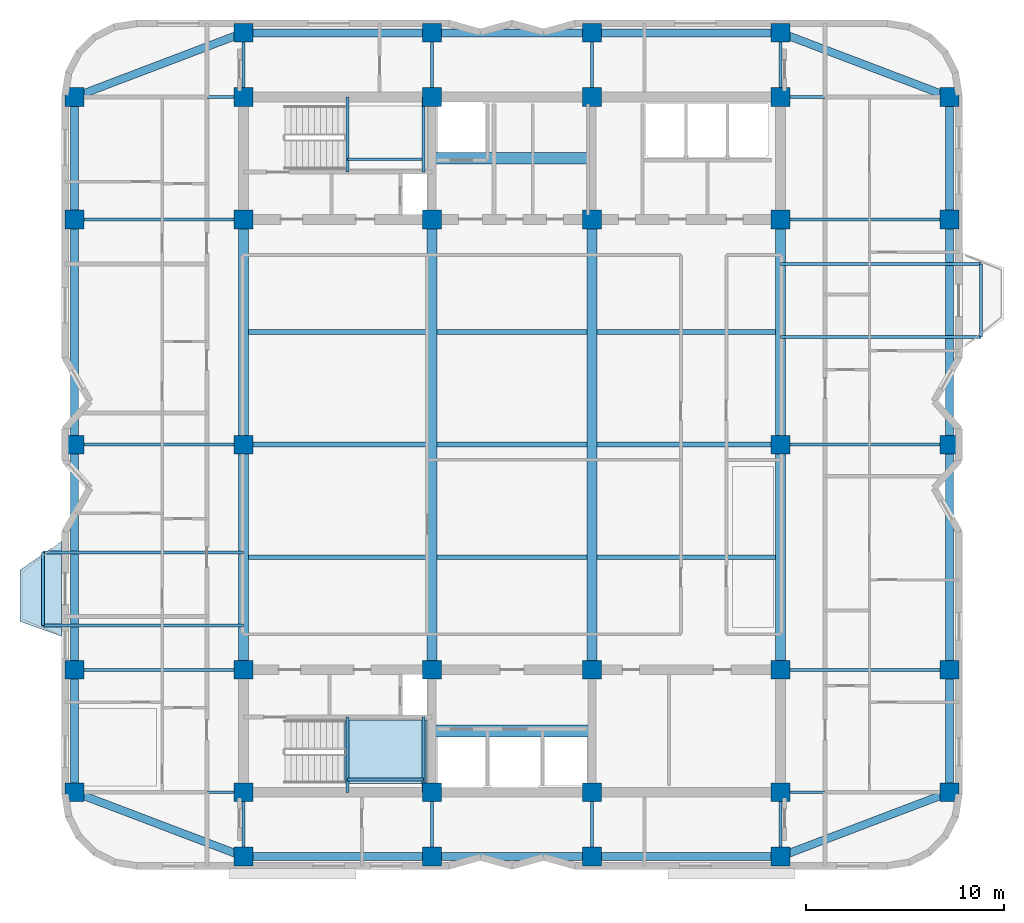
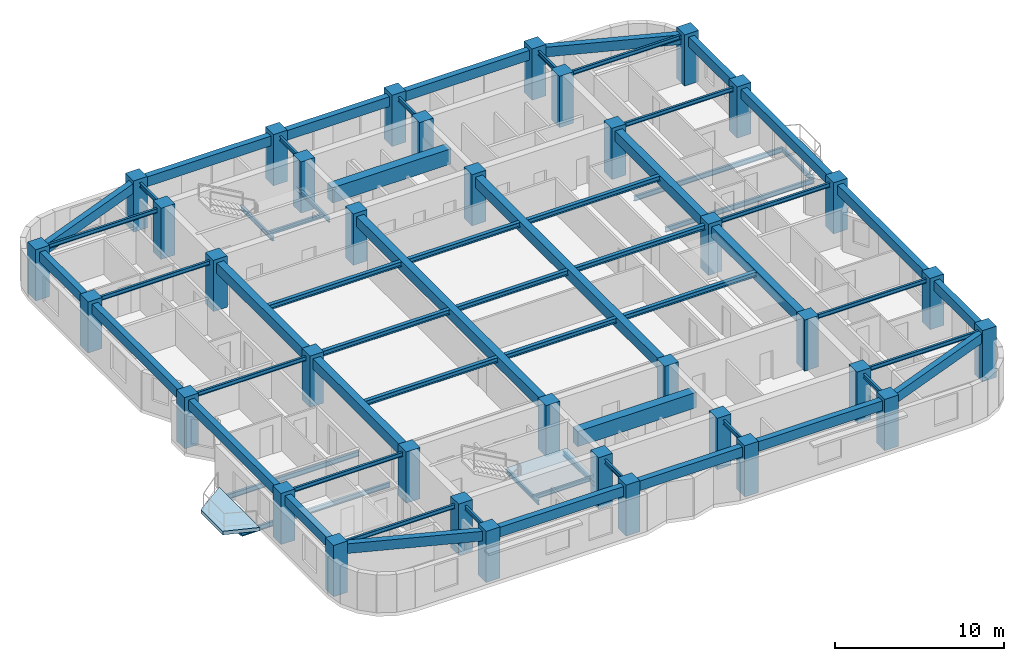
# One storey, part 1 of 9: 65 beams, 36 columns, 2 slabs, 1 element without a shape of its own.
"""IFC4 building model written with IfcOpenShell, lengths in metres."""

from ifc_helpers import new_model, si_unit, direction, frame, origin, origin_2d, place, context, subcontext, project, spatial, polyline, rectangle, i_section, outline, extrude, material, layer, layer_set, material_profile, profile_set, type_object, element, aggregate, save


model = new_model("IFC4")

# Units and contexts
model_context = context("Model", 3, precision=1e-05, world=origin(), true_north=direction((0.0, 1.0)))
body_context = subcontext(model_context, "Body", "Model", "MODEL_VIEW")
ifc_project = project(units=[si_unit("LENGTHUNIT", "METRE"), si_unit("AREAUNIT", "SQUARE_METRE"), si_unit("VOLUMEUNIT", "CUBIC_METRE"), si_unit("PLANEANGLEUNIT", "RADIAN"), si_unit("MASSUNIT", "GRAM", prefix="KILO")], contexts=[model_context])

# Site, building, storey
site_placement = place(None, origin())
site = spatial("IfcSite", under=ifc_project, at=site_placement, CompositionType="ELEMENT")
building_placement = place(site_placement, origin())
building = spatial("IfcBuilding", under=site, at=building_placement, Name="Svetorya Sky Lyceum", CompositionType="ELEMENT")
storey_placement = place(building_placement, frame((0.0, 0.0, 166.300048828125)))
storey = spatial("IfcBuildingStorey", under=building, at=storey_placement, Name="L41", CompositionType="ELEMENT", Elevation=166.300048828125)

# Columns
ifc_material_1 = material(Name="Concrete C50/60", Category="concrete")
ifc_material_profile_1 = material_profile(ifc_material_1, rectangle(XDim=0.949951171875, YDim=0.949951171875, at=origin_2d()), Name="RC COL 950x950")
ifc_profile_set_1 = profile_set([ifc_material_profile_1], Name="Concrete C50/60")
column_type = type_object("IfcColumnType", Name="COL-RC-950", PredefinedType="COLUMN", material=ifc_profile_set_1)
for number, where, z_axis, x_axis, name in (
    (1, (25.60009765625, 10.60009765625, 0.0), (0.0, 0.0, 1.0), (1.0, 0.0, 0.0), "L41 Core Column CS-11"),
    (2, (25.60009765625, 16.800048828125, 0.0), (0.0, 0.0, 1.0), (1.0, 0.0, 0.0), "L41 Core Column CS-12"),
    (3, (35.14990234375, 10.60009765625, 0.0), (0.0, 0.0, 1.0), (1.0, 0.0, 0.0), "L41 Core Column CS-21"),
    (4, (35.14990234375, 16.800048828125, 0.0), (0.0, 0.0, 1.0), (1.0, 0.0, 0.0), "L41 Core Column CS-22"),
    (5, (43.25, 10.60009765625, 0.0), (0.0, 0.0, 1.0), (1.0, 0.0, 0.0), "L41 Core Column CS-31"),
    (6, (43.25, 16.800048828125, 0.0), (0.0, 0.0, 1.0), (1.0, 0.0, 0.0), "L41 Core Column CS-32"),
    (7, (52.800048828125, 10.60009765625, 0.0), (0.0, 0.0, 1.0), (1.0, 0.0, 0.0), "L41 Core Column CS-41"),
    (8, (52.800048828125, 16.800048828125, 0.0), (0.0, 0.0, 1.0), (1.0, 0.0, 0.0), "L41 Core Column CS-42"),
    (9, (25.60009765625, 39.60009765625, 0.0), (0.0, 0.0, 1.0), (1.0, 0.0, 0.0), "L41 Core Column CN-11"),
    (10, (25.60009765625, 45.800048828125, 0.0), (0.0, 0.0, 1.0), (1.0, 0.0, 0.0), "L41 Core Column CN-12"),
    (11, (35.14990234375, 39.60009765625, 0.0), (0.0, 0.0, 1.0), (1.0, 0.0, 0.0), "L41 Core Column CN-21"),
    (12, (35.14990234375, 45.800048828125, 0.0), (0.0, 0.0, 1.0), (1.0, 0.0, 0.0), "L41 Core Column CN-22"),
    (13, (43.25, 39.60009765625, 0.0), (0.0, 0.0, 1.0), (1.0, 0.0, 0.0), "L41 Core Column CN-31"),
    (14, (43.25, 45.800048828125, 0.0), (0.0, 0.0, 1.0), (1.0, 0.0, 0.0), "L41 Core Column CN-32"),
    (15, (52.800048828125, 39.60009765625, 0.0), (0.0, 0.0, 1.0), (1.0, 0.0, 0.0), "L41 Core Column CN-41"),
    (16, (52.800048828125, 45.800048828125, 0.0), (0.0, 0.0, 1.0), (1.0, 0.0, 0.0), "L41 Core Column CN-42"),
    (17, (25.60009765625, 28.199951171875, 0.0), (0.0, 0.0, 1.0), (1.0, 0.0, 0.0), "L41 Core Column CM-W"),
    (18, (52.800048828125, 28.199951171875, 0.0), (0.0, 0.0, 1.0), (1.0, 0.0, 0.0), "L41 Core Column CM-E"),
    (19, (25.60009765625, 7.35009765625, 0.0), (0.0, 0.0, 1.0), (1.0, 0.0, 0.0), "L41 Perimeter Column S1"),
    (20, (25.60009765625, 49.050048828125, 0.0), (0.0, 0.0, 1.0), (1.0, 0.0, 0.0), "L41 Perimeter Column N1"),
    (21, (35.14990234375, 7.35009765625, 0.0), (0.0, 0.0, 1.0), (1.0, 0.0, 0.0), "L41 Perimeter Column S2"),
    (22, (35.14990234375, 49.050048828125, 0.0), (0.0, 0.0, 1.0), (1.0, 0.0, 0.0), "L41 Perimeter Column N2"),
    (23, (43.25, 7.35009765625, 0.0), (0.0, 0.0, 1.0), (1.0, 0.0, 0.0), "L41 Perimeter Column S3"),
    (24, (43.25, 49.050048828125, 0.0), (0.0, 0.0, 1.0), (1.0, 0.0, 0.0), "L41 Perimeter Column N3"),
    (25, (52.800048828125, 7.35009765625, 0.0), (0.0, 0.0, 1.0), (1.0, 0.0, 0.0), "L41 Perimeter Column S4"),
    (26, (52.800048828125, 49.050048828125, 0.0), (0.0, 0.0, 1.0), (1.0, 0.0, 0.0), "L41 Perimeter Column N4"),
    (27, (17.050048828125, 10.60009765625, 0.0), (0.0, 0.0, 1.0), (1.0, 0.0, 0.0), "L41 Perimeter Column W1"),
    (28, (61.35009765625, 10.60009765625, 0.0), (0.0, 0.0, 1.0), (1.0, 0.0, 0.0), "L41 Perimeter Column E1"),
    (29, (17.050048828125, 16.800048828125, 0.0), (0.0, 0.0, 1.0), (1.0, 0.0, 0.0), "L41 Perimeter Column W2"),
    (30, (61.35009765625, 16.800048828125, 0.0), (0.0, 0.0, 1.0), (1.0, 0.0, 0.0), "L41 Perimeter Column E2"),
    (31, (17.050048828125, 28.199951171875, 0.0), (0.0, 0.0, 1.0), (1.0, 0.0, 0.0), "L41 Perimeter Column W3"),
    (32, (61.35009765625, 28.199951171875, 0.0), (0.0, 0.0, 1.0), (1.0, 0.0, 0.0), "L41 Perimeter Column E3"),
    (33, (17.050048828125, 39.60009765625, 0.0), (0.0, 0.0, 1.0), (1.0, 0.0, 0.0), "L41 Perimeter Column W4"),
    (34, (61.35009765625, 39.60009765625, 0.0), (0.0, 0.0, 1.0), (1.0, 0.0, 0.0), "L41 Perimeter Column E4"),
    (35, (17.050048828125, 45.800048828125, 0.0), (0.0, 0.0, 1.0), (1.0, 0.0, 0.0), "L41 Perimeter Column W5"),
    (36, (61.35009765625, 45.800048828125, 0.0), (0.0, 0.0, 1.0), (1.0, 0.0, 0.0), "L41 Perimeter Column E5"),
):
    element("IfcColumn", number, at=place(storey_placement, frame(where, z_axis=z_axis, x_axis=x_axis)), inside=storey, type_object=column_type, Name=name, PredefinedType="COLUMN", context=body_context, shape_type="SweptSolid", body=[
        extrude(rectangle(XDim=0.949951171875, YDim=0.949951171875, at=origin_2d()), origin(), (0.0, 0.0, 1.0), 3.699951171875),
    ])

# Beams
ifc_material_2 = material(Name="Concrete C60/75", Category="concrete")
ifc_material_profile_2 = material_profile(ifc_material_2, rectangle(XDim=0.60009765625, YDim=1.10009765625, at=origin_2d()), Name="RC COUPLING 600x1100")
ifc_profile_set_2 = profile_set([ifc_material_profile_2], Name="Concrete C60/75")
beam_type_1 = type_object("IfcBeamType", Name="BM-CPL-1100", PredefinedType="LINTEL", material=ifc_profile_set_2)
for number, where, z_axis, x_axis, name in (
    (37, (35.14990234375, 13.699951171875, 2.889892578125), (1.0, 0.0, 0.0), (0.0, 1.0, 0.0), "L41 SC Core Coupling Beam"),
    (38, (35.14990234375, 42.699951171875, 2.889892578125), (1.0, 0.0, 0.0), (0.0, 1.0, 0.0), "L41 NC Core Coupling Beam"),
):
    element("IfcBeam", number, at=place(storey_placement, frame(where, z_axis=z_axis, x_axis=x_axis)), inside=storey, type_object=beam_type_1, Name=name, PredefinedType="LINTEL", context=body_context, shape_type="SweptSolid", body=[
        extrude(rectangle(XDim=0.60009765625, YDim=1.10009765625, at=origin_2d()), origin(), (0.0, 0.0, 1.0), 8.10009765625),
    ])
ifc_material_profile_3 = material_profile(ifc_material_1, rectangle(XDim=0.5, YDim=0.75, at=origin_2d()), Name="RC BEAM 500x750")
ifc_profile_set_3 = profile_set([ifc_material_profile_3], Name="Concrete C50/60")
beam_type_2 = type_object("IfcBeamType", Name="BM-RC-750", PredefinedType="BEAM", material=ifc_profile_set_3)
beam_1_placement = place(storey_placement, frame((25.60009765625, 16.800048828125, 3.06494140625), z_axis=(0.0, 1.0, 0.0), x_axis=(-1.0, 0.0, 0.0)))
element("IfcBeam", 39, at=beam_1_placement, inside=storey, type_object=beam_type_2, Name="L41 Central Bay Primary Girder CG-1A", PredefinedType="BEAM", context=body_context, shape_type="SweptSolid", body=[
    extrude(rectangle(XDim=0.5, YDim=0.75, at=origin_2d()), origin(), (0.0, 0.0, 1.0), 11.39990234375),
])
beam_2_placement = place(storey_placement, frame((25.60009765625, 28.199951171875, 3.06494140625), z_axis=(0.0, 1.0, 0.0), x_axis=(-1.0, 0.0, 0.0)))
element("IfcBeam", 40, at=beam_2_placement, inside=storey, type_object=beam_type_2, Name="L41 Central Bay Primary Girder CG-1B", PredefinedType="BEAM", context=body_context, shape_type="SweptSolid", body=[
    extrude(rectangle(XDim=0.5, YDim=0.75, at=origin_2d()), origin(), (0.0, 0.0, 1.0), 11.400146484375),
])
for number, where, z_axis, x_axis, name in (
    (41, (35.14990234375, 16.800048828125, 3.06494140625), (0.0, 1.0, 0.0), (-1.0, 0.0, 0.0), "L41 Central Bay Primary Girder CG-2"),
    (42, (43.25, 16.800048828125, 3.06494140625), (0.0, 1.0, 0.0), (-1.0, 0.0, 0.0), "L41 Central Bay Primary Girder CG-3"),
):
    element("IfcBeam", number, at=place(storey_placement, frame(where, z_axis=z_axis, x_axis=x_axis)), inside=storey, type_object=beam_type_2, Name=name, PredefinedType="BEAM", context=body_context, shape_type="SweptSolid", body=[
        extrude(rectangle(XDim=0.5, YDim=0.75, at=origin_2d()), origin(), (0.0, 0.0, 1.0), 22.800048828125),
    ])
beam_3_placement = place(storey_placement, frame((52.800048828125, 16.800048828125, 3.06494140625), z_axis=(0.0, 1.0, 0.0), x_axis=(-1.0, 0.0, 0.0)))
element("IfcBeam", 43, at=beam_3_placement, inside=storey, type_object=beam_type_2, Name="L41 Central Bay Primary Girder CG-4A", PredefinedType="BEAM", context=body_context, shape_type="SweptSolid", body=[
    extrude(rectangle(XDim=0.5, YDim=0.75, at=origin_2d()), origin(), (0.0, 0.0, 1.0), 11.39990234375),
])
beam_4_placement = place(storey_placement, frame((52.800048828125, 28.199951171875, 3.06494140625), z_axis=(0.0, 1.0, 0.0), x_axis=(-1.0, 0.0, 0.0)))
element("IfcBeam", 44, at=beam_4_placement, inside=storey, type_object=beam_type_2, Name="L41 Central Bay Primary Girder CG-4B", PredefinedType="BEAM", context=body_context, shape_type="SweptSolid", body=[
    extrude(rectangle(XDim=0.5, YDim=0.75, at=origin_2d()), origin(), (0.0, 0.0, 1.0), 11.400146484375),
])
ifc_material_profile_4 = material_profile(ifc_material_1, rectangle(XDim=0.39990234375, YDim=0.699951171875, at=origin_2d()), Name="RC SPANDREL 400x700")
ifc_profile_set_4 = profile_set([ifc_material_profile_4], Name="Concrete C50/60")
beam_type_3 = type_object("IfcBeamType", Name="BM-SPN-700", PredefinedType="SPANDREL", material=ifc_profile_set_4)
beam_5_placement = place(storey_placement, frame((25.60009765625, 7.35009765625, 3.08984375), z_axis=(1.0, 0.0, 0.0), x_axis=(0.0, 1.0, 0.0)))
element("IfcBeam", 45, at=beam_5_placement, inside=storey, type_object=beam_type_3, Name="L41 South Spandrel 1", PredefinedType="SPANDREL", context=body_context, shape_type="SweptSolid", body=[
    extrude(rectangle(XDim=0.39990234375, YDim=0.699951171875, at=origin_2d()), origin(), (0.0, 0.0, 1.0), 9.5498046875),
])
beam_6_placement = place(storey_placement, frame((35.14990234375, 7.35009765625, 3.08984375), z_axis=(1.0, 0.0, 0.0), x_axis=(0.0, 1.0, 0.0)))
element("IfcBeam", 46, at=beam_6_placement, inside=storey, type_object=beam_type_3, Name="L41 South Spandrel 2", PredefinedType="SPANDREL", context=body_context, shape_type="SweptSolid", body=[
    extrude(rectangle(XDim=0.39990234375, YDim=0.699951171875, at=origin_2d()), origin(), (0.0, 0.0, 1.0), 8.10009765625),
])
beam_7_placement = place(storey_placement, frame((43.25, 7.35009765625, 3.08984375), z_axis=(1.0, 0.0, 0.0), x_axis=(0.0, 1.0, 0.0)))
element("IfcBeam", 47, at=beam_7_placement, inside=storey, type_object=beam_type_3, Name="L41 South Spandrel 3", PredefinedType="SPANDREL", context=body_context, shape_type="SweptSolid", body=[
    extrude(rectangle(XDim=0.39990234375, YDim=0.699951171875, at=origin_2d()), origin(), (0.0, 0.0, 1.0), 9.550048828125),
])
beam_8_placement = place(storey_placement, frame((25.60009765625, 49.050048828125, 3.08984375), z_axis=(1.0, 0.0, 0.0), x_axis=(0.0, 1.0, 0.0)))
element("IfcBeam", 48, at=beam_8_placement, inside=storey, type_object=beam_type_3, Name="L41 North Spandrel 1", PredefinedType="SPANDREL", context=body_context, shape_type="SweptSolid", body=[
    extrude(rectangle(XDim=0.39990234375, YDim=0.699951171875, at=origin_2d()), origin(), (0.0, 0.0, 1.0), 9.5498046875),
])
beam_9_placement = place(storey_placement, frame((35.14990234375, 49.050048828125, 3.08984375), z_axis=(1.0, 0.0, 0.0), x_axis=(0.0, 1.0, 0.0)))
element("IfcBeam", 49, at=beam_9_placement, inside=storey, type_object=beam_type_3, Name="L41 North Spandrel 2", PredefinedType="SPANDREL", context=body_context, shape_type="SweptSolid", body=[
    extrude(rectangle(XDim=0.39990234375, YDim=0.699951171875, at=origin_2d()), origin(), (0.0, 0.0, 1.0), 8.10009765625),
])
beam_10_placement = place(storey_placement, frame((43.25, 49.050048828125, 3.08984375), z_axis=(1.0, 0.0, 0.0), x_axis=(0.0, 1.0, 0.0)))
element("IfcBeam", 50, at=beam_10_placement, inside=storey, type_object=beam_type_3, Name="L41 North Spandrel 3", PredefinedType="SPANDREL", context=body_context, shape_type="SweptSolid", body=[
    extrude(rectangle(XDim=0.39990234375, YDim=0.699951171875, at=origin_2d()), origin(), (0.0, 0.0, 1.0), 9.550048828125),
])
for number, where, z_axis, x_axis, name in (
    (51, (25.60009765625, 7.35009765625, 3.08984375), (-0.934747947367, 0.355311518099, 0.0), (-0.355311518099, -0.934747947367, 0.0), "L41 Corner Spandrel 1"),
    (52, (52.800048828125, 7.35009765625, 3.08984375), (0.934747947367, 0.355311518099, 0.0), (-0.355311518099, 0.934747947367, 0.0), "L41 Corner Spandrel 2"),
    (53, (61.35009765625, 45.800048828125, 3.08984375), (-0.934747947367, 0.355311518099, 0.0), (-0.355311518099, -0.934747947367, 0.0), "L41 Corner Spandrel 3"),
    (54, (17.050048828125, 45.800048828125, 3.08984375), (0.934747947367, 0.355311518099, 0.0), (-0.355311518099, 0.934747947367, 0.0), "L41 Corner Spandrel 4"),
):
    element("IfcBeam", number, at=place(storey_placement, frame(where, z_axis=z_axis, x_axis=x_axis)), inside=storey, type_object=beam_type_3, Name=name, PredefinedType="SPANDREL", context=body_context, shape_type="SweptSolid", body=[
        extrude(rectangle(XDim=0.39990234375, YDim=0.699951171875, at=origin_2d()), origin(), (0.0, 0.0, 1.0), 9.14697265625),
    ])
beam_11_placement = place(storey_placement, frame((17.050048828125, 10.60009765625, 3.08984375), z_axis=(0.0, 1.0, 0.0), x_axis=(-1.0, 0.0, 0.0)))
element("IfcBeam", 55, at=beam_11_placement, inside=storey, type_object=beam_type_3, Name="L41 West Spandrel 1", PredefinedType="SPANDREL", context=body_context, shape_type="SweptSolid", body=[
    extrude(rectangle(XDim=0.39990234375, YDim=0.699951171875, at=origin_2d()), origin(), (0.0, 0.0, 1.0), 6.199951171875),
])
beam_12_placement = place(storey_placement, frame((17.050048828125, 16.800048828125, 3.08984375), z_axis=(0.0, 1.0, 0.0), x_axis=(-1.0, 0.0, 0.0)))
element("IfcBeam", 56, at=beam_12_placement, inside=storey, type_object=beam_type_3, Name="L41 West Spandrel 2", PredefinedType="SPANDREL", context=body_context, shape_type="SweptSolid", body=[
    extrude(rectangle(XDim=0.39990234375, YDim=0.699951171875, at=origin_2d()), origin(), (0.0, 0.0, 1.0), 11.39990234375),
])
beam_13_placement = place(storey_placement, frame((17.050048828125, 28.199951171875, 3.08984375), z_axis=(0.0, 1.0, 0.0), x_axis=(-1.0, 0.0, 0.0)))
element("IfcBeam", 57, at=beam_13_placement, inside=storey, type_object=beam_type_3, Name="L41 West Spandrel 3", PredefinedType="SPANDREL", context=body_context, shape_type="SweptSolid", body=[
    extrude(rectangle(XDim=0.39990234375, YDim=0.699951171875, at=origin_2d()), origin(), (0.0, 0.0, 1.0), 11.400146484375),
])
for number, where, z_axis, x_axis, name in (
    (58, (17.050048828125, 39.60009765625, 3.08984375), (0.0, 1.0, 0.0), (-1.0, 0.0, 0.0), "L41 West Spandrel 4"),
    (59, (61.35009765625, 10.60009765625, 3.08984375), (0.0, 1.0, 0.0), (-1.0, 0.0, 0.0), "L41 East Spandrel 1"),
):
    element("IfcBeam", number, at=place(storey_placement, frame(where, z_axis=z_axis, x_axis=x_axis)), inside=storey, type_object=beam_type_3, Name=name, PredefinedType="SPANDREL", context=body_context, shape_type="SweptSolid", body=[
        extrude(rectangle(XDim=0.39990234375, YDim=0.699951171875, at=origin_2d()), origin(), (0.0, 0.0, 1.0), 6.199951171875),
    ])
beam_14_placement = place(storey_placement, frame((61.35009765625, 16.800048828125, 3.08984375), z_axis=(0.0, 1.0, 0.0), x_axis=(-1.0, 0.0, 0.0)))
element("IfcBeam", 60, at=beam_14_placement, inside=storey, type_object=beam_type_3, Name="L41 East Spandrel 2", PredefinedType="SPANDREL", context=body_context, shape_type="SweptSolid", body=[
    extrude(rectangle(XDim=0.39990234375, YDim=0.699951171875, at=origin_2d()), origin(), (0.0, 0.0, 1.0), 11.39990234375),
])
beam_15_placement = place(storey_placement, frame((61.35009765625, 28.199951171875, 3.08984375), z_axis=(0.0, 1.0, 0.0), x_axis=(-1.0, 0.0, 0.0)))
element("IfcBeam", 61, at=beam_15_placement, inside=storey, type_object=beam_type_3, Name="L41 East Spandrel 3", PredefinedType="SPANDREL", context=body_context, shape_type="SweptSolid", body=[
    extrude(rectangle(XDim=0.39990234375, YDim=0.699951171875, at=origin_2d()), origin(), (0.0, 0.0, 1.0), 11.400146484375),
])
beam_16_placement = place(storey_placement, frame((61.35009765625, 39.60009765625, 3.08984375), z_axis=(0.0, 1.0, 0.0), x_axis=(-1.0, 0.0, 0.0)))
element("IfcBeam", 62, at=beam_16_placement, inside=storey, type_object=beam_type_3, Name="L41 East Spandrel 4", PredefinedType="SPANDREL", context=body_context, shape_type="SweptSolid", body=[
    extrude(rectangle(XDim=0.39990234375, YDim=0.699951171875, at=origin_2d()), origin(), (0.0, 0.0, 1.0), 6.199951171875),
])
ifc_material_3 = material(Name="Steel S355", Category="steel")
ifc_material_profile_5 = material_profile(ifc_material_3, i_section(OverallWidth=0.14990234375, OverallDepth=0.299072265625, WebThickness=0.006591796875, FlangeThickness=0.010498046875, at=origin_2d()), Name="GOST 30B2")
ifc_profile_set_5 = profile_set([ifc_material_profile_5], Name="Steel S355")
beam_type_4 = type_object("IfcBeamType", Name="BM-STL-30B2", PredefinedType="JOIST", material=ifc_profile_set_5)
beam_17_placement = place(storey_placement, frame((15.449951171875, 19.050048828125, -0.4345703125), z_axis=(0.0, 1.0, 0.0), x_axis=(-1.0, 0.0, 0.0)))
element("IfcBeam", 63, at=beam_17_placement, inside=storey, type_object=beam_type_4, Name="L41 Balcony Edge Tie BAL-W1", PredefinedType="JOIST", context=body_context, shape_type="SweptSolid", body=[
    extrude(i_section(OverallWidth=0.14990234375, OverallDepth=0.299072265625, WebThickness=0.006591796875, FlangeThickness=0.010498046875, at=origin_2d()), origin(), (0.0, 0.0, 1.0), 3.699951171875),
])
beam_18_placement = place(storey_placement, frame((62.949951171875, 33.64990234375, -0.4345703125), z_axis=(0.0, 1.0, 0.0), x_axis=(-1.0, 0.0, 0.0)))
element("IfcBeam", 64, at=beam_18_placement, inside=storey, type_object=beam_type_4, Name="L41 Balcony Edge Tie BAL-E1", PredefinedType="JOIST", context=body_context, shape_type="SweptSolid", body=[
    extrude(i_section(OverallWidth=0.14990234375, OverallDepth=0.299072265625, WebThickness=0.006591796875, FlangeThickness=0.010498046875, at=origin_2d()), origin(), (0.0, 0.0, 1.0), 3.7001953125),
])
for number, where, z_axis, x_axis, name in (
    (65, (17.050048828125, 10.60009765625, 3.29052734375), (1.0, 0.0, 0.0), (0.0, 1.0, 0.0), "L41 West Wing Floor Joist W1"),
    (66, (52.800048828125, 10.60009765625, 3.29052734375), (1.0, 0.0, 0.0), (0.0, 1.0, 0.0), "L41 East Wing Floor Joist E1"),
    (67, (17.050048828125, 16.800048828125, 3.29052734375), (1.0, 0.0, 0.0), (0.0, 1.0, 0.0), "L41 West Wing Floor Joist W2"),
    (68, (52.800048828125, 16.800048828125, 3.29052734375), (1.0, 0.0, 0.0), (0.0, 1.0, 0.0), "L41 East Wing Floor Joist E2"),
    (69, (17.050048828125, 28.199951171875, 3.29052734375), (1.0, 0.0, 0.0), (0.0, 1.0, 0.0), "L41 West Wing Floor Joist W3"),
    (70, (52.800048828125, 28.199951171875, 3.29052734375), (1.0, 0.0, 0.0), (0.0, 1.0, 0.0), "L41 East Wing Floor Joist E3"),
    (71, (17.050048828125, 39.60009765625, 3.29052734375), (1.0, 0.0, 0.0), (0.0, 1.0, 0.0), "L41 West Wing Floor Joist W4"),
    (72, (52.800048828125, 39.60009765625, 3.29052734375), (1.0, 0.0, 0.0), (0.0, 1.0, 0.0), "L41 East Wing Floor Joist E4"),
    (73, (17.050048828125, 45.800048828125, 3.29052734375), (1.0, 0.0, 0.0), (0.0, 1.0, 0.0), "L41 West Wing Floor Joist W5"),
    (74, (52.800048828125, 45.800048828125, 3.29052734375), (1.0, 0.0, 0.0), (0.0, 1.0, 0.0), "L41 East Wing Floor Joist E5"),
):
    element("IfcBeam", number, at=place(storey_placement, frame(where, z_axis=z_axis, x_axis=x_axis)), inside=storey, type_object=beam_type_4, Name=name, PredefinedType="JOIST", context=body_context, shape_type="SweptSolid", body=[
        extrude(i_section(OverallWidth=0.14990234375, OverallDepth=0.299072265625, WebThickness=0.006591796875, FlangeThickness=0.010498046875, at=origin_2d()), origin(), (0.0, 0.0, 1.0), 8.550048828125),
    ])
for number, where, z_axis, x_axis, name in (
    (75, (25.60009765625, 7.35009765625, 3.29052734375), (0.0, 1.0, 0.0), (-1.0, 0.0, 0.0), "L41 South Bay Floor Girder S1"),
    (76, (25.60009765625, 45.800048828125, 3.29052734375), (0.0, 1.0, 0.0), (-1.0, 0.0, 0.0), "L41 North Bay Floor Girder N1"),
    (77, (35.14990234375, 7.35009765625, 3.29052734375), (0.0, 1.0, 0.0), (-1.0, 0.0, 0.0), "L41 South Bay Floor Girder S2"),
    (78, (35.14990234375, 45.800048828125, 3.29052734375), (0.0, 1.0, 0.0), (-1.0, 0.0, 0.0), "L41 North Bay Floor Girder N2"),
    (79, (43.25, 7.35009765625, 3.29052734375), (0.0, 1.0, 0.0), (-1.0, 0.0, 0.0), "L41 South Bay Floor Girder S3"),
    (80, (43.25, 45.800048828125, 3.29052734375), (0.0, 1.0, 0.0), (-1.0, 0.0, 0.0), "L41 North Bay Floor Girder N3"),
    (81, (52.800048828125, 7.35009765625, 3.29052734375), (0.0, 1.0, 0.0), (-1.0, 0.0, 0.0), "L41 South Bay Floor Girder S4"),
    (82, (52.800048828125, 45.800048828125, 3.29052734375), (0.0, 1.0, 0.0), (-1.0, 0.0, 0.0), "L41 North Bay Floor Girder N4"),
):
    element("IfcBeam", number, at=place(storey_placement, frame(where, z_axis=z_axis, x_axis=x_axis)), inside=storey, type_object=beam_type_4, Name=name, PredefinedType="JOIST", context=body_context, shape_type="SweptSolid", body=[
        extrude(i_section(OverallWidth=0.14990234375, OverallDepth=0.299072265625, WebThickness=0.006591796875, FlangeThickness=0.010498046875, at=origin_2d()), origin(), (0.0, 0.0, 1.0), 3.25),
    ])
for number, where, z_axis, x_axis, name in (
    (83, (30.8798828125, 10.60009765625, 1.50048828125), (0.0, 1.0, 0.0), (-1.0, 0.0, 0.0), "L41 Stair ST-S Half-Landing Support Beam 47.1"),
    (84, (34.719970703125, 10.60009765625, 1.50048828125), (0.0, 1.0, 0.0), (-1.0, 0.0, 0.0), "L41 Stair ST-S Half-Landing Support Beam 47.2"),
):
    element("IfcBeam", number, at=place(storey_placement, frame(where, z_axis=z_axis, x_axis=x_axis)), inside=storey, type_object=beam_type_4, Name=name, PredefinedType="JOIST", context=body_context, shape_type="SweptSolid", body=[
        extrude(i_section(OverallWidth=0.14990234375, OverallDepth=0.299072265625, WebThickness=0.006591796875, FlangeThickness=0.010498046875, at=origin_2d()), origin(), (0.0, 0.0, 1.0), 3.7998046875),
    ])
beam_19_placement = place(storey_placement, frame((30.8798828125, 11.25, 1.50048828125), z_axis=(1.0, 0.0, 0.0), x_axis=(0.0, 1.0, 0.0)))
element("IfcBeam", 85, at=beam_19_placement, inside=storey, type_object=beam_type_4, Name="L41 Stair ST-S Half-Landing Cross Tie 47", PredefinedType="JOIST", context=body_context, shape_type="SweptSolid", body=[
    extrude(i_section(OverallWidth=0.14990234375, OverallDepth=0.299072265625, WebThickness=0.006591796875, FlangeThickness=0.010498046875, at=origin_2d()), origin(), (0.0, 0.0, 1.0), 3.840087890625),
])
for number, where, z_axis, x_axis, name in (
    (86, (30.8798828125, 42.0, 1.50048828125), (0.0, 1.0, 0.0), (-1.0, 0.0, 0.0), "L41 Stair ST-N Half-Landing Support Beam 47.1"),
    (87, (34.719970703125, 42.0, 1.50048828125), (0.0, 1.0, 0.0), (-1.0, 0.0, 0.0), "L41 Stair ST-N Half-Landing Support Beam 47.2"),
):
    element("IfcBeam", number, at=place(storey_placement, frame(where, z_axis=z_axis, x_axis=x_axis)), inside=storey, type_object=beam_type_4, Name=name, PredefinedType="JOIST", context=body_context, shape_type="SweptSolid", body=[
        extrude(i_section(OverallWidth=0.14990234375, OverallDepth=0.299072265625, WebThickness=0.006591796875, FlangeThickness=0.010498046875, at=origin_2d()), origin(), (0.0, 0.0, 1.0), 3.800048828125),
    ])
beam_20_placement = place(storey_placement, frame((30.8798828125, 42.64990234375, 1.50048828125), z_axis=(1.0, 0.0, 0.0), x_axis=(0.0, 1.0, 0.0)))
element("IfcBeam", 88, at=beam_20_placement, inside=storey, type_object=beam_type_4, Name="L41 Stair ST-N Half-Landing Cross Tie 47", PredefinedType="JOIST", context=body_context, shape_type="SweptSolid", body=[
    extrude(i_section(OverallWidth=0.14990234375, OverallDepth=0.299072265625, WebThickness=0.006591796875, FlangeThickness=0.010498046875, at=origin_2d()), origin(), (0.0, 0.0, 1.0), 3.840087890625),
])
ifc_material_profile_6 = material_profile(ifc_material_3, i_section(OverallWidth=0.155029296875, OverallDepth=0.34912109375, WebThickness=0.007080078125, FlangeThickness=0.011474609375, at=origin_2d()), Name="GOST 35B2")
ifc_profile_set_6 = profile_set([ifc_material_profile_6], Name="Steel S355")
beam_type_5 = type_object("IfcBeamType", Name="BM-STL-35B2", PredefinedType="JOIST", material=ifc_profile_set_6)
for number, where, z_axis, x_axis, name in (
    (89, (25.60009765625, 19.050048828125, -0.4345703125), (-1.0, 0.0, 0.0), (0.0, -1.0, 0.0), "L41 Balcony Cantilever Beam BAL-W1-1"),
    (90, (25.60009765625, 22.75, -0.4345703125), (-1.0, 0.0, 0.0), (0.0, -1.0, 0.0), "L41 Balcony Cantilever Beam BAL-W1-2"),
):
    element("IfcBeam", number, at=place(storey_placement, frame(where, z_axis=z_axis, x_axis=x_axis)), inside=storey, type_object=beam_type_5, Name=name, PredefinedType="JOIST", context=body_context, shape_type="SweptSolid", body=[
        extrude(i_section(OverallWidth=0.155029296875, OverallDepth=0.34912109375, WebThickness=0.007080078125, FlangeThickness=0.011474609375, at=origin_2d()), origin(), (0.0, 0.0, 1.0), 10.150146484375),
    ])
for number, where, z_axis, x_axis, name in (
    (91, (52.800048828125, 33.64990234375, -0.4345703125), (1.0, 0.0, 0.0), (0.0, 1.0, 0.0), "L41 Balcony Cantilever Beam BAL-E1-1"),
    (92, (52.800048828125, 37.35009765625, -0.4345703125), (1.0, 0.0, 0.0), (0.0, 1.0, 0.0), "L41 Balcony Cantilever Beam BAL-E1-2"),
):
    element("IfcBeam", number, at=place(storey_placement, frame(where, z_axis=z_axis, x_axis=x_axis)), inside=storey, type_object=beam_type_5, Name=name, PredefinedType="JOIST", context=body_context, shape_type="SweptSolid", body=[
        extrude(i_section(OverallWidth=0.155029296875, OverallDepth=0.34912109375, WebThickness=0.007080078125, FlangeThickness=0.011474609375, at=origin_2d()), origin(), (0.0, 0.0, 1.0), 10.14990234375),
    ])
ifc_material_profile_7 = material_profile(ifc_material_3, i_section(OverallWidth=0.25, OverallDepth=0.345947265625, WebThickness=0.009521484375, FlangeThickness=0.014404296875, at=origin_2d()), Name="GOST 35Sh2")
ifc_profile_set_7 = profile_set([ifc_material_profile_7], Name="Steel S355")
beam_type_6 = type_object("IfcBeamType", Name="BM-STL-35SH2", PredefinedType="BEAM", material=ifc_profile_set_7)
beam_21_placement = place(storey_placement, frame((25.85009765625, 22.5, 3.266845703125), z_axis=(1.0, 0.0, 0.0), x_axis=(0.0, 1.0, 0.0)))
element("IfcBeam", 93, at=beam_21_placement, inside=storey, type_object=beam_type_6, Name="L41 Central Floor Joist CJ-1.1", PredefinedType="BEAM", context=body_context, shape_type="SweptSolid", body=[
    extrude(i_section(OverallWidth=0.25, OverallDepth=0.345947265625, WebThickness=0.009521484375, FlangeThickness=0.014404296875, at=origin_2d()), origin(), (0.0, 0.0, 1.0), 9.0498046875),
])
beam_22_placement = place(storey_placement, frame((35.39990234375, 22.5, 3.266845703125), z_axis=(1.0, 0.0, 0.0), x_axis=(0.0, 1.0, 0.0)))
element("IfcBeam", 94, at=beam_22_placement, inside=storey, type_object=beam_type_6, Name="L41 Central Floor Joist CJ-1.2", PredefinedType="BEAM", context=body_context, shape_type="SweptSolid", body=[
    extrude(i_section(OverallWidth=0.25, OverallDepth=0.345947265625, WebThickness=0.009521484375, FlangeThickness=0.014404296875, at=origin_2d()), origin(), (0.0, 0.0, 1.0), 7.60009765625),
])
beam_23_placement = place(storey_placement, frame((43.5, 22.5, 3.266845703125), z_axis=(1.0, 0.0, 0.0), x_axis=(0.0, 1.0, 0.0)))
element("IfcBeam", 95, at=beam_23_placement, inside=storey, type_object=beam_type_6, Name="L41 Central Floor Joist CJ-1.3", PredefinedType="BEAM", context=body_context, shape_type="SweptSolid", body=[
    extrude(i_section(OverallWidth=0.25, OverallDepth=0.345947265625, WebThickness=0.009521484375, FlangeThickness=0.014404296875, at=origin_2d()), origin(), (0.0, 0.0, 1.0), 9.050048828125),
])
beam_24_placement = place(storey_placement, frame((25.85009765625, 28.199951171875, 3.266845703125), z_axis=(1.0, 0.0, 0.0), x_axis=(0.0, 1.0, 0.0)))
element("IfcBeam", 96, at=beam_24_placement, inside=storey, type_object=beam_type_6, Name="L41 Central Floor Joist CJ-2.1", PredefinedType="BEAM", context=body_context, shape_type="SweptSolid", body=[
    extrude(i_section(OverallWidth=0.25, OverallDepth=0.345947265625, WebThickness=0.009521484375, FlangeThickness=0.014404296875, at=origin_2d()), origin(), (0.0, 0.0, 1.0), 9.0498046875),
])
beam_25_placement = place(storey_placement, frame((35.39990234375, 28.199951171875, 3.266845703125), z_axis=(1.0, 0.0, 0.0), x_axis=(0.0, 1.0, 0.0)))
element("IfcBeam", 97, at=beam_25_placement, inside=storey, type_object=beam_type_6, Name="L41 Central Floor Joist CJ-2.2", PredefinedType="BEAM", context=body_context, shape_type="SweptSolid", body=[
    extrude(i_section(OverallWidth=0.25, OverallDepth=0.345947265625, WebThickness=0.009521484375, FlangeThickness=0.014404296875, at=origin_2d()), origin(), (0.0, 0.0, 1.0), 7.60009765625),
])
beam_26_placement = place(storey_placement, frame((43.5, 28.199951171875, 3.266845703125), z_axis=(1.0, 0.0, 0.0), x_axis=(0.0, 1.0, 0.0)))
element("IfcBeam", 98, at=beam_26_placement, inside=storey, type_object=beam_type_6, Name="L41 Central Floor Joist CJ-2.3", PredefinedType="BEAM", context=body_context, shape_type="SweptSolid", body=[
    extrude(i_section(OverallWidth=0.25, OverallDepth=0.345947265625, WebThickness=0.009521484375, FlangeThickness=0.014404296875, at=origin_2d()), origin(), (0.0, 0.0, 1.0), 9.050048828125),
])
beam_27_placement = place(storey_placement, frame((25.85009765625, 33.89990234375, 3.266845703125), z_axis=(1.0, 0.0, 0.0), x_axis=(0.0, 1.0, 0.0)))
element("IfcBeam", 99, at=beam_27_placement, inside=storey, type_object=beam_type_6, Name="L41 Central Floor Joist CJ-3.1", PredefinedType="BEAM", context=body_context, shape_type="SweptSolid", body=[
    extrude(i_section(OverallWidth=0.25, OverallDepth=0.345947265625, WebThickness=0.009521484375, FlangeThickness=0.014404296875, at=origin_2d()), origin(), (0.0, 0.0, 1.0), 9.0498046875),
])
beam_28_placement = place(storey_placement, frame((35.39990234375, 33.89990234375, 3.266845703125), z_axis=(1.0, 0.0, 0.0), x_axis=(0.0, 1.0, 0.0)))
element("IfcBeam", 100, at=beam_28_placement, inside=storey, type_object=beam_type_6, Name="L41 Central Floor Joist CJ-3.2", PredefinedType="BEAM", context=body_context, shape_type="SweptSolid", body=[
    extrude(i_section(OverallWidth=0.25, OverallDepth=0.345947265625, WebThickness=0.009521484375, FlangeThickness=0.014404296875, at=origin_2d()), origin(), (0.0, 0.0, 1.0), 7.60009765625),
])
beam_29_placement = place(storey_placement, frame((43.5, 33.89990234375, 3.266845703125), z_axis=(1.0, 0.0, 0.0), x_axis=(0.0, 1.0, 0.0)))
element("IfcBeam", 101, at=beam_29_placement, inside=storey, type_object=beam_type_6, Name="L41 Central Floor Joist CJ-3.3", PredefinedType="BEAM", context=body_context, shape_type="SweptSolid", body=[
    extrude(i_section(OverallWidth=0.25, OverallDepth=0.345947265625, WebThickness=0.009521484375, FlangeThickness=0.014404296875, at=origin_2d()), origin(), (0.0, 0.0, 1.0), 9.050048828125),
])

# Slab
ifc_material_4 = material(Name="Concrete C40/50", Category="concrete")
ifc_layer_1 = layer(ifc_material_4, 0.260009765625)
ifc_layer_set_1 = layer_set([ifc_layer_1], Name="Concrete C40/50")
slab_type_1 = type_object("IfcSlabType", Name="SL-BAL-260", PredefinedType="FLOOR", material=ifc_layer_set_1)
slab_1_placement = place(storey_placement, frame((0.0, 0.0, -0.260009765625)))
element("IfcSlab", 102, at=slab_1_placement, inside=storey, type_object=slab_type_1, Name="L41 Chamfered Loggia Balcony BAL-W1", PredefinedType="FLOOR", context=body_context, shape_type="SweptSolid", body=[
    extrude(outline(polyline([(16.389892578125, 18.5), (16.389892578125, 23.300048828125), (14.2900390625, 21.85009765625), (14.2900390625, 19.25), (16.389892578125, 18.5)])), origin(), (0.0, 0.0, 1.0), 0.260009765625),
])

# Stair, slab
stair_type = type_object("IfcStairType", Name="STR-ST-S", PredefinedType="HALF_TURN_STAIR", material=ifc_material_4)
stair_placement = place(storey_placement, origin())
stair = element("IfcStair", 103, at=stair_placement, inside=storey, type_object=stair_type, Name="L41 South Core Smoke-Free Exit Stair N2", PredefinedType="HALF_TURN_STAIR")
ifc_layer_2 = layer(ifc_material_4, 0.199951171875)
ifc_layer_set_2 = layer_set([ifc_layer_2], Name="Concrete C40/50")
slab_type_2 = type_object("IfcSlabType", Name="SL-STR-LAND-200", PredefinedType="LANDING", material=ifc_layer_set_2)
slab_2_placement = place(storey_placement, frame((0.0, 0.0, 1.64990234375)))
slab_2 = element("IfcSlab", 104, at=slab_2_placement, type_object=slab_type_2, Name="ST-S landing 1", PredefinedType="LANDING", context=body_context, shape_type="SweptSolid", body=[
    extrude(outline(polyline([(30.699951171875, 11.050048828125), (34.89990234375, 11.050048828125), (34.89990234375, 14.25), (30.699951171875, 14.25), (30.699951171875, 11.050048828125)])), origin(), (0.0, 0.0, 1.0), 0.199951171875),
])
aggregate(stair, [slab_2])

save(model, "model.ifc")
